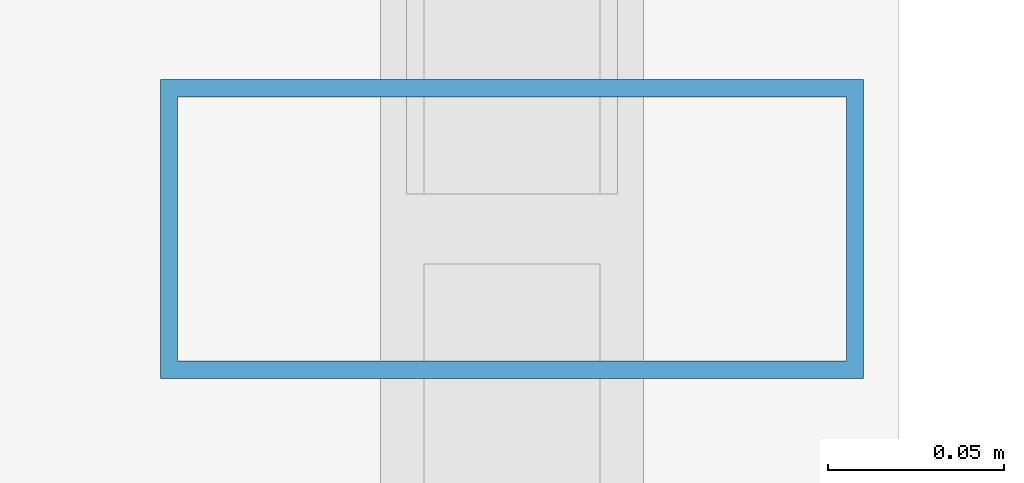
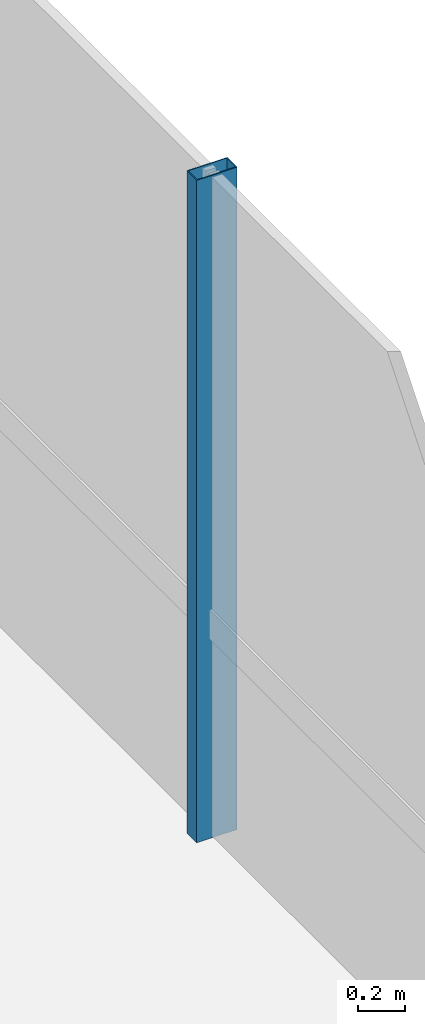
# One storey, part 8 of 33: 1 member, 1 element without a shape of its own.
"""IFC4 building model written with IfcOpenShell, lengths in metres."""

from ifc_helpers import new_model, si_unit, direction, frame, origin, origin_2d, place, context, subcontext, project, spatial, hollow_rectangle, extrude, source, transform, mapped, material, material_profile, profile_set, type_object, element, aggregate, save


model = new_model("IFC4")

# Units and contexts
model_context = context("Model", 3, precision=1e-05, world=origin(), true_north=direction((0.0, 1.0)))
body_context = subcontext(model_context, "Body", "Model", "MODEL_VIEW")
ifc_project = project(units=[si_unit("LENGTHUNIT", "METRE"), si_unit("AREAUNIT", "SQUARE_METRE"), si_unit("VOLUMEUNIT", "CUBIC_METRE"), si_unit("PLANEANGLEUNIT", "RADIAN"), si_unit("MASSUNIT", "GRAM", prefix="KILO")], contexts=[model_context])

# Site, building, storey
site_placement = place(None, origin())
site = spatial("IfcSite", under=ifc_project, at=site_placement, CompositionType="ELEMENT")
building_placement = place(site_placement, origin())
building = spatial("IfcBuilding", under=site, at=building_placement, Name="Valdorenza Pilgrim Sanctuary Tower", CompositionType="ELEMENT")
storey_placement = place(building_placement, frame((0.0, 0.0, 157.5)))
storey = spatial("IfcBuildingStorey", under=building, at=storey_placement, Name="L40", CompositionType="ELEMENT", Elevation=157.5)

# Curtain wall, member
ifc_material_1 = material(Name="Curtain-wall IGU glazing", Category="glass")
curtain_wall_type = type_object("IfcCurtainWallType", Name="CW-SYS-02", PredefinedType="NOTDEFINED", material=ifc_material_1)
curtain_wall_placement = place(storey_placement, origin())
curtain_wall = element("IfcCurtainWall", 1, at=curtain_wall_placement, inside=storey, type_object=curtain_wall_type, Name="L40 Curtain Wall CW-L40-1-21", PredefinedType="NOTDEFINED")
ifc_material_2 = material(Name="Anodised aluminium AW-6060", Category="aluminium")
ifc_material_profile = material_profile(ifc_material_2, hollow_rectangle(XDim=0.0849609375, YDim=0.199951171875, WallThickness=0.0048828125, at=origin_2d()), Name="ALU-M 200x85x5")
ifc_profile_set = profile_set([ifc_material_profile], Name="Anodised aluminium AW-6060")
member_type = type_object("IfcMemberType", Name="CW-MUL-02", PredefinedType="MULLION", material=ifc_profile_set)
shared_shape = source(origin(), body_context, "Body", "SweptSolid", [
    extrude(hollow_rectangle(XDim=0.0849609375, YDim=0.199951171875, WallThickness=0.0048828125, at=origin_2d()), origin(), (0.0, 0.0, 1.0), 3.4599609375),
])
member_placement = place(storey_placement, frame((-9.610107421875, -2.0224609375, 0.0), z_axis=(0.0, 0.0, 1.0), x_axis=(0.0, -1.0, 0.0)))
member = element("IfcMember", 2, at=member_placement, type_object=member_type, Name="CW-L40-1-21 Mullion 2", PredefinedType="MULLION", context=body_context, shape_type="MappedRepresentation", body=[
    mapped(shared_shape, transform((0.0, 0.0, 0.0), x_axis=(1.0, 0.0, 0.0), y_axis=(0.0, 1.0, 0.0), z_axis=(0.0, 0.0, 1.0), scale=1.0)),
])
aggregate(curtain_wall, [member])

save(model, "model.ifc")
